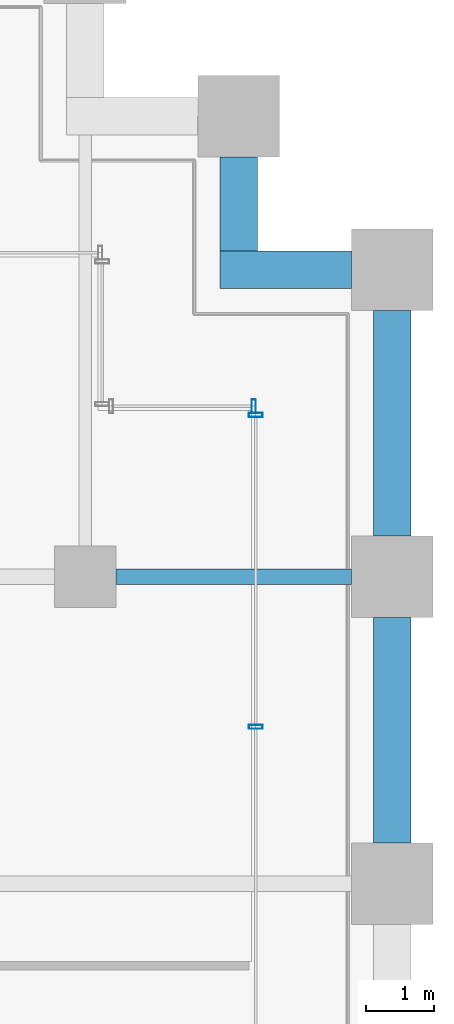
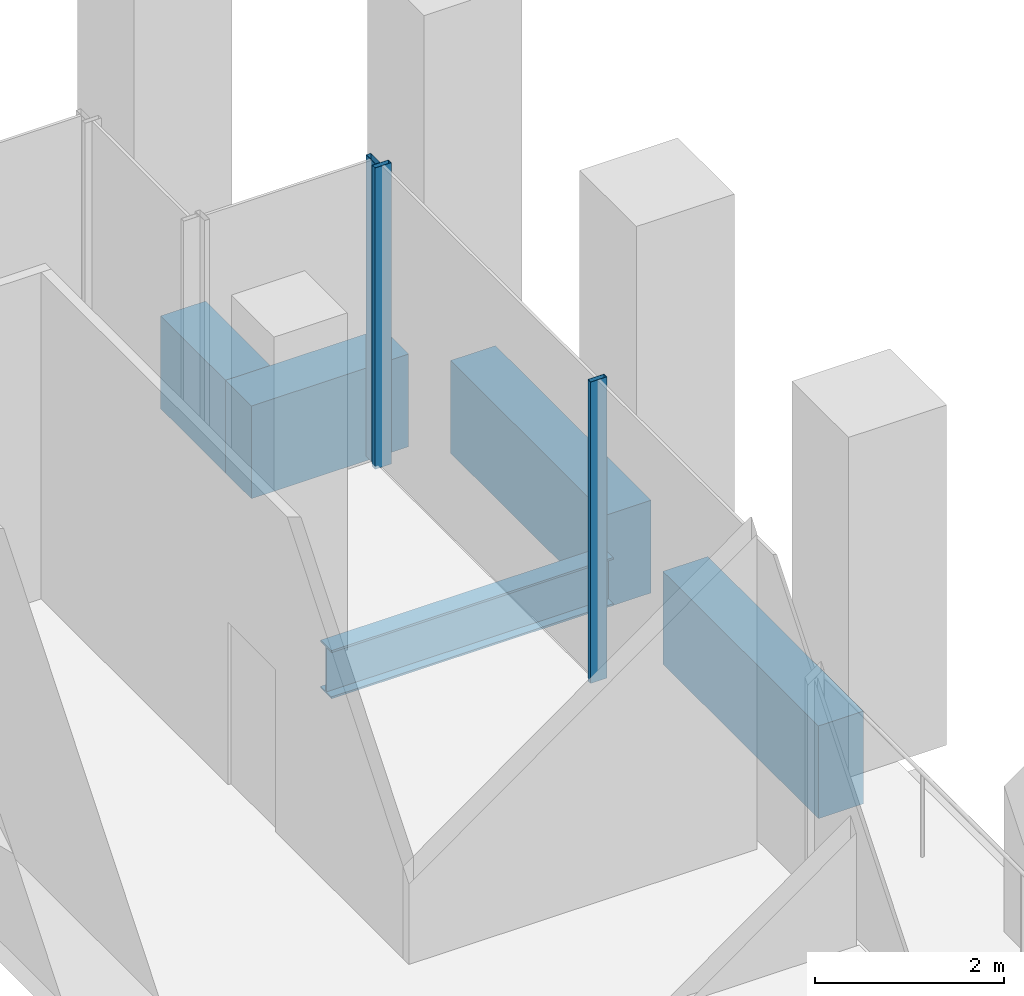
# One storey, part 27 of 36: 5 beams, 3 members, 2 elements without a shape of their own.
"""IFC4 building model written with IfcOpenShell, lengths in metres."""

from ifc_helpers import new_model, si_unit, direction, frame, origin, origin_2d, place, context, subcontext, project, spatial, rectangle, hollow_rectangle, i_section, extrude, material, material_profile, profile_set, type_object, element, aggregate, save


model = new_model("IFC4")

# Units and contexts
model_context = context("Model", 3, precision=1e-05, world=origin(), true_north=direction((0.0, 1.0)))
body_context = subcontext(model_context, "Body", "Model", "MODEL_VIEW")
ifc_project = project(units=[si_unit("LENGTHUNIT", "METRE"), si_unit("AREAUNIT", "SQUARE_METRE"), si_unit("VOLUMEUNIT", "CUBIC_METRE"), si_unit("PLANEANGLEUNIT", "RADIAN"), si_unit("MASSUNIT", "GRAM", prefix="KILO")], contexts=[model_context])

# Site, building, storey
site_placement = place(None, origin())
site = spatial("IfcSite", under=ifc_project, at=site_placement, CompositionType="ELEMENT")
building_placement = place(site_placement, origin())
building = spatial("IfcBuilding", under=site, at=building_placement, Name="Altepetl Exchange Towers", CompositionType="ELEMENT")
storey_placement = place(building_placement, frame((0.0, 0.0, 34.199951171875)))
storey = spatial("IfcBuildingStorey", under=building, at=storey_placement, Name="L07", CompositionType="ELEMENT", Elevation=34.199951171875)

# Beam
ifc_material_1 = material(Name="Steel S355", Category="steel")
ifc_material_profile_1 = material_profile(ifc_material_1, i_section(OverallWidth=0.22900390625, OverallDepth=0.623046875, WebThickness=0.013916015625, FlangeThickness=0.02490234375, at=origin_2d()), Name="W24X103")
ifc_profile_set_1 = profile_set([ifc_material_profile_1], Name="Steel S355")
beam_type_1 = type_object("IfcBeamType", Name="Girder W24X103", PredefinedType="BEAM", material=ifc_profile_set_1)
beam_1_placement = place(storey_placement, frame((121.949951171875, 49.5, -0.486572265625), z_axis=(1.0, 0.0, 0.0), x_axis=(0.0, 1.0, 0.0)))
element("IfcBeam", 1, at=beam_1_placement, inside=storey, type_object=beam_type_1, Name="gd:B:L07:001", PredefinedType="BEAM", context=body_context, shape_type="SweptSolid", body=[
    extrude(i_section(OverallWidth=0.22900390625, OverallDepth=0.623046875, WebThickness=0.013916015625, FlangeThickness=0.02490234375, at=origin_2d()), origin(), (0.0, 0.0, 1.0), 3.449951171875),
])

# Curtain wall, members
ifc_material_2 = material(Name="Aluminium 6063-T6 glazing", Category="aluminium")
curtain_wall_type = type_object("IfcCurtainWallType", Name="Trading floor glazing system", PredefinedType="NOTDEFINED", material=ifc_material_2)
curtain_wall_1_placement = place(storey_placement, origin())
curtain_wall_1 = element("IfcCurtainWall", 2, at=curtain_wall_1_placement, inside=storey, type_object=curtain_wall_type, Name="CW2 run", PredefinedType="NOTDEFINED")
ifc_material_3 = material(Name="Aluminium 6063-T6", Category="aluminium")
ifc_material_profile_2 = material_profile(ifc_material_3, hollow_rectangle(XDim=0.06005859375, YDim=0.199951171875, WallThickness=0.0029296875, at=origin_2d()), Name="Mullion 60x200 aluminium")
ifc_profile_set_2 = profile_set([ifc_material_profile_2], Name="Aluminium 6063-T6")
member_type = type_object("IfcMemberType", Name="Mullion 60x200 aluminium", PredefinedType="MULLION", material=ifc_profile_set_2)
member_1_placement = place(storey_placement, frame((124.0, 47.300048828125, 0.0), z_axis=(0.0, 0.0, 1.0), x_axis=(0.0, 1.0, 0.0)))
member_1 = element("IfcMember", 3, at=member_1_placement, type_object=member_type, Name="MU2 mullion", PredefinedType="MULLION", context=body_context, shape_type="SweptSolid", body=[
    extrude(hollow_rectangle(XDim=0.06005859375, YDim=0.199951171875, WallThickness=0.0029296875, at=origin_2d()), origin(), (0.0, 0.0, 1.0), 3.900146484375),
])
member_2_placement = place(storey_placement, frame((124.0, 51.8701171875, 0.0), z_axis=(0.0, 0.0, 1.0), x_axis=(0.0, 1.0, 0.0)))
member_2 = element("IfcMember", 4, at=member_2_placement, type_object=member_type, Name="MU2 mullion", PredefinedType="MULLION", context=body_context, shape_type="SweptSolid", body=[
    extrude(hollow_rectangle(XDim=0.06005859375, YDim=0.199951171875, WallThickness=0.0029296875, at=origin_2d()), origin(), (0.0, 0.0, 1.0), 3.900146484375),
])
aggregate(curtain_wall_1, [member_1, member_2])

# Curtain wall, member
curtain_wall_2_placement = place(storey_placement, origin())
curtain_wall_2 = element("IfcCurtainWall", 5, at=curtain_wall_2_placement, inside=storey, type_object=curtain_wall_type, Name="CW2 run", PredefinedType="NOTDEFINED")
member_3_placement = place(storey_placement, frame((123.969970703125, 52.0, 0.0), z_axis=(0.0, 0.0, 1.0), x_axis=(-1.0, 0.0, 0.0)))
member_3 = element("IfcMember", 6, at=member_3_placement, type_object=member_type, Name="MU2 mullion", PredefinedType="MULLION", context=body_context, shape_type="SweptSolid", body=[
    extrude(hollow_rectangle(XDim=0.06005859375, YDim=0.199951171875, WallThickness=0.0029296875, at=origin_2d()), origin(), (0.0, 0.0, 1.0), 3.900146484375),
])
aggregate(curtain_wall_2, [member_3])

# Beams
ifc_material_4 = material(Name="Concrete C50/60 precast with cantera amarilla facing", Category="concrete")
ifc_material_profile_3 = material_profile(ifc_material_4, rectangle(XDim=0.550048828125, YDim=1.199951171875, at=origin_2d()), Name="550 x 1200")
ifc_profile_set_3 = profile_set([ifc_material_profile_3], Name="Concrete C50/60 precast with cantera amarilla facing")
beam_type_2 = type_object("IfcBeamType", Name="Spandrel beam 550x1200 cantera amarilla", PredefinedType="SPANDREL", material=ifc_profile_set_3)
beam_2_placement = place(storey_placement, frame((126.0, 50.10009765625, -0.77490234375), z_axis=(0.0, 1.0, 0.0), x_axis=(-1.0, 0.0, 0.0)))
element("IfcBeam", 7, at=beam_2_placement, inside=storey, type_object=beam_type_2, Name="sp:B:L07:013", PredefinedType="SPANDREL", context=body_context, shape_type="SweptSolid", body=[
    extrude(rectangle(XDim=0.550048828125, YDim=1.199951171875, at=origin_2d()), origin(), (0.0, 0.0, 1.0), 3.2998046875),
])
beam_3_placement = place(storey_placement, frame((125.39990234375, 54.0, -0.77490234375), z_axis=(-1.0, 0.0, 0.0), x_axis=(0.0, -1.0, 0.0)))
element("IfcBeam", 8, at=beam_3_placement, inside=storey, type_object=beam_type_2, Name="sp:B:L07:014", PredefinedType="SPANDREL", context=body_context, shape_type="SweptSolid", body=[
    extrude(rectangle(XDim=0.550048828125, YDim=1.199951171875, at=origin_2d()), origin(), (0.0, 0.0, 1.0), 1.9248046875),
])
beam_4_placement = place(storey_placement, frame((123.75, 54.27490234375, -0.77490234375), z_axis=(0.0, 1.0, 0.0), x_axis=(-1.0, 0.0, 0.0)))
element("IfcBeam", 9, at=beam_4_placement, inside=storey, type_object=beam_type_2, Name="sp:B:L07:015", PredefinedType="SPANDREL", context=body_context, shape_type="SweptSolid", body=[
    extrude(rectangle(XDim=0.550048828125, YDim=1.199951171875, at=origin_2d()), origin(), (0.0, 0.0, 1.0), 1.375),
])
ifc_material_5 = material(Name="Concrete C50/60 precast with cantera blanca facing", Category="concrete")
ifc_material_profile_4 = material_profile(ifc_material_5, rectangle(XDim=0.550048828125, YDim=1.199951171875, at=origin_2d()), Name="550 x 1200")
ifc_profile_set_4 = profile_set([ifc_material_profile_4], Name="Concrete C50/60 precast with cantera blanca facing")
beam_type_3 = type_object("IfcBeamType", Name="Spandrel beam 550x1200 cantera blanca", PredefinedType="SPANDREL", material=ifc_profile_set_4)
beam_5_placement = place(storey_placement, frame((126.0, 45.60009765625, -0.77490234375), z_axis=(0.0, 1.0, 0.0), x_axis=(-1.0, 0.0, 0.0)))
element("IfcBeam", 10, at=beam_5_placement, inside=storey, type_object=beam_type_3, Name="sp:B:L07:012", PredefinedType="SPANDREL", context=body_context, shape_type="SweptSolid", body=[
    extrude(rectangle(XDim=0.550048828125, YDim=1.199951171875, at=origin_2d()), origin(), (0.0, 0.0, 1.0), 3.2998046875),
])

save(model, "model.ifc")
